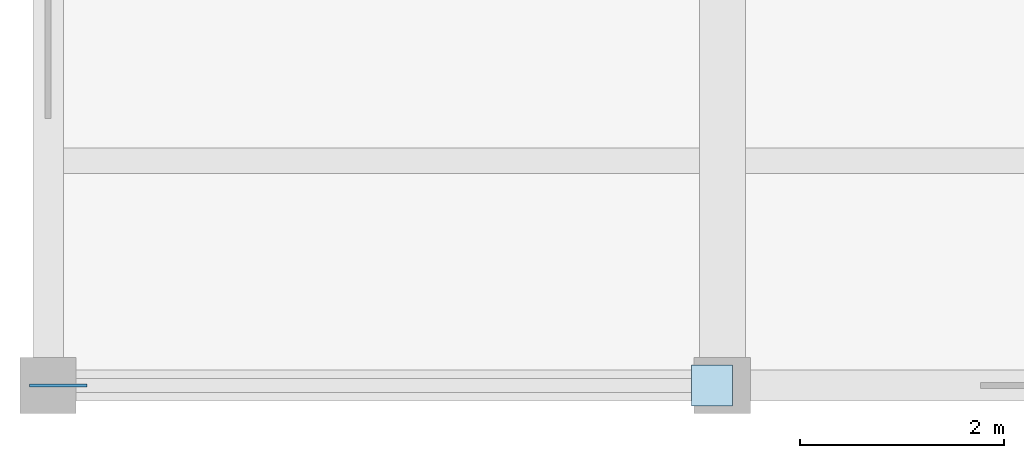
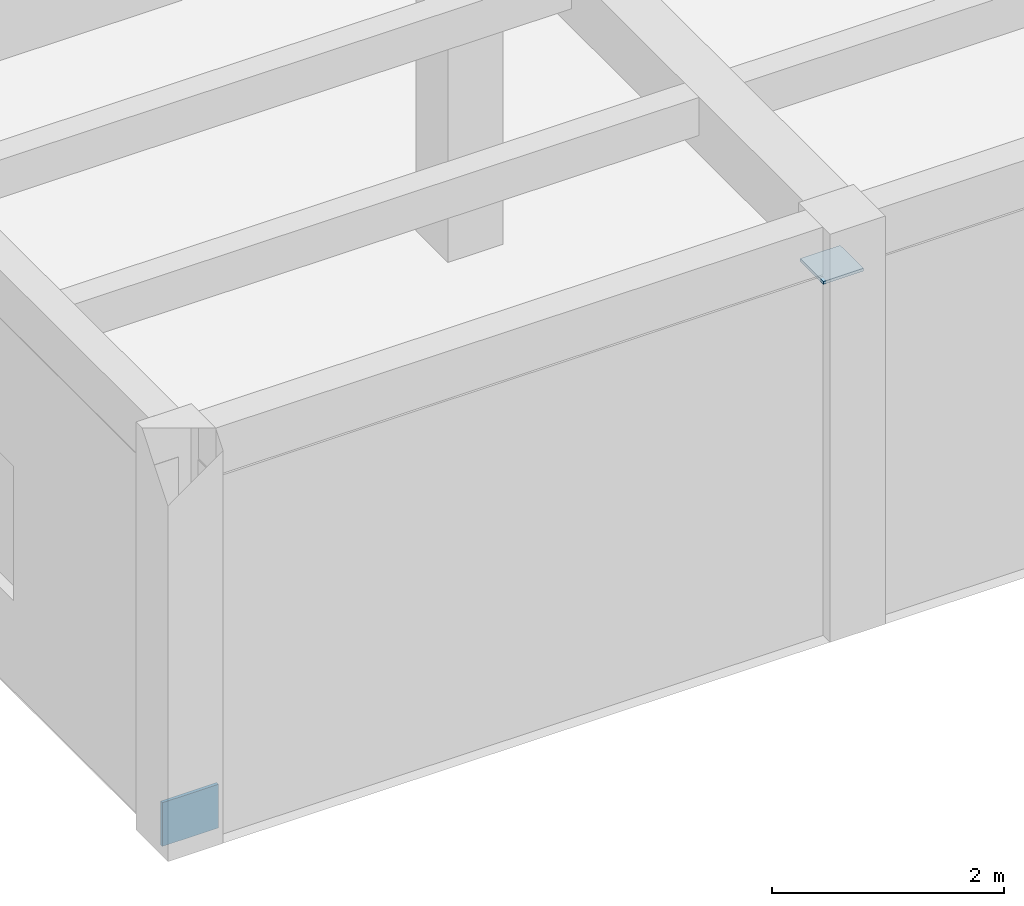
# One storey, part 31 of 48: 2 plates.
"""IFC4 building model written with IfcOpenShell, lengths in metres."""

from ifc_helpers import new_model, si_unit, direction, frame, origin, origin_2d, place, context, subcontext, project, spatial, rectangle, extrude, material, layer, layer_set, type_object, element, save


model = new_model("IFC4")

# Units and contexts
model_context = context("Model", 3, precision=1e-05, world=origin(), true_north=direction((0.0, 1.0)))
body_context = subcontext(model_context, "Body", "Model", "MODEL_VIEW")
ifc_project = project(units=[si_unit("LENGTHUNIT", "METRE"), si_unit("AREAUNIT", "SQUARE_METRE"), si_unit("VOLUMEUNIT", "CUBIC_METRE"), si_unit("PLANEANGLEUNIT", "RADIAN"), si_unit("MASSUNIT", "GRAM", prefix="KILO")], contexts=[model_context])

# Site, building, storey
site_placement = place(None, origin())
site = spatial("IfcSite", under=ifc_project, at=site_placement, CompositionType="ELEMENT")
building_placement = place(site_placement, origin())
building = spatial("IfcBuilding", under=site, at=building_placement, Name="Kharisveld Research Institute", CompositionType="ELEMENT")
storey_placement = place(building_placement, frame((0.0, 0.0, 14.10009765625)))
storey = spatial("IfcBuildingStorey", under=building, at=storey_placement, Name="L03", CompositionType="ELEMENT", Elevation=14.10009765625)

# Plates
ifc_material_1 = material(Name="Steel S355JR", Category="steel")
ifc_layer_1 = layer(ifc_material_1, 0.030029296875)
ifc_layer_set_1 = layer_set([ifc_layer_1], Name="PL_CAP_E")
plate_type_1 = type_object("IfcPlateType", Name="PL_CAP_E", PredefinedType="SHEET", material=ifc_layer_set_1)
plate_1_placement = place(storey_placement, frame((7.10009765625, 0.199951171875, 3.73486328125), z_axis=(0.0, 0.0, 1.0), x_axis=(1.0, 0.0, 0.0)))
element("IfcPlate", 1, at=plate_1_placement, inside=storey, type_object=plate_type_1, Name="PLT:V3:L03:CAP_0_0", PredefinedType="SHEET", context=body_context, shape_type="SweptSolid", body=[
    extrude(rectangle(XDim=0.39990234375, YDim=0.39990234375, at=origin_2d()), origin(), (0.0, 0.0, 1.0), 0.030029296875),
])
ifc_material_2 = material(Name="Steel S355JR", Category="steel")
ifc_layer_2 = layer(ifc_material_2, 0.031982421875)
ifc_layer_set_2 = layer_set([ifc_layer_2], Name="PL_GUS_E")
plate_type_2 = type_object("IfcPlateType", Name="PL_GUS_E", PredefinedType="USERDEFINED", material=ifc_layer_set_2)
plate_2_placement = place(storey_placement, frame((0.699951171875, 0.199951171875, -0.030029296875), z_axis=(0.0, 0.0, 1.0), x_axis=(1.0, 0.0, 0.0)))
element("IfcPlate", 2, at=plate_2_placement, inside=storey, type_object=plate_type_2, Name="PLT:V3:L03:GUS_0_0", ObjectType="GUSSET PLATE", PredefinedType="USERDEFINED", context=body_context, shape_type="SweptSolid", body=[
    extrude(rectangle(XDim=0.56005859375, YDim=0.031982421875, at=origin_2d()), origin(), (0.0, 0.0, 1.0), 0.4599609375),
])

save(model, "model.ifc")
